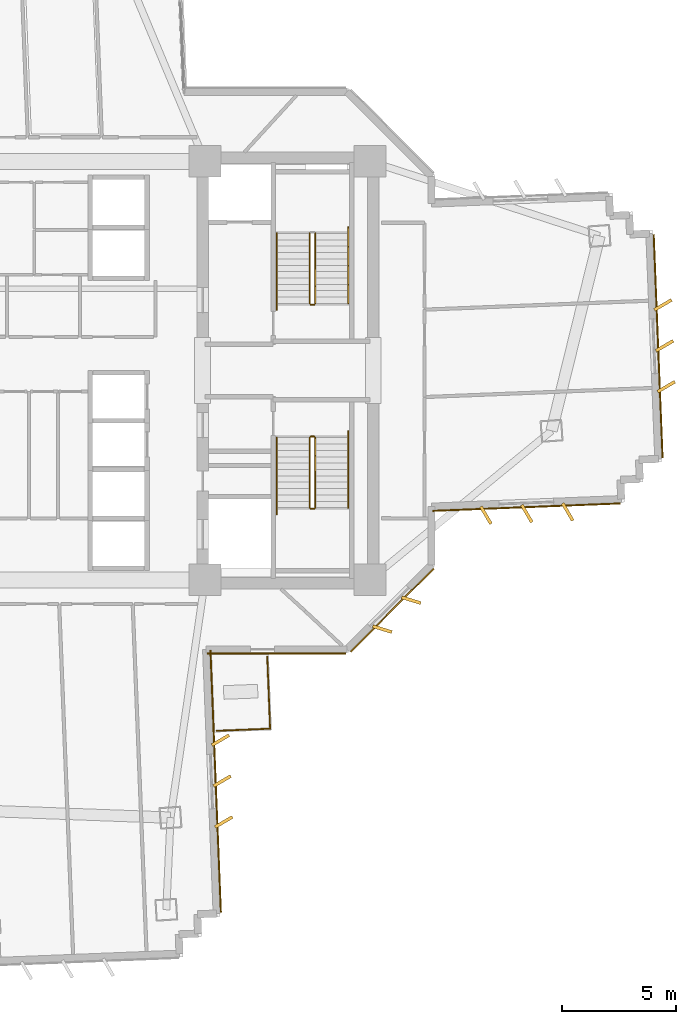
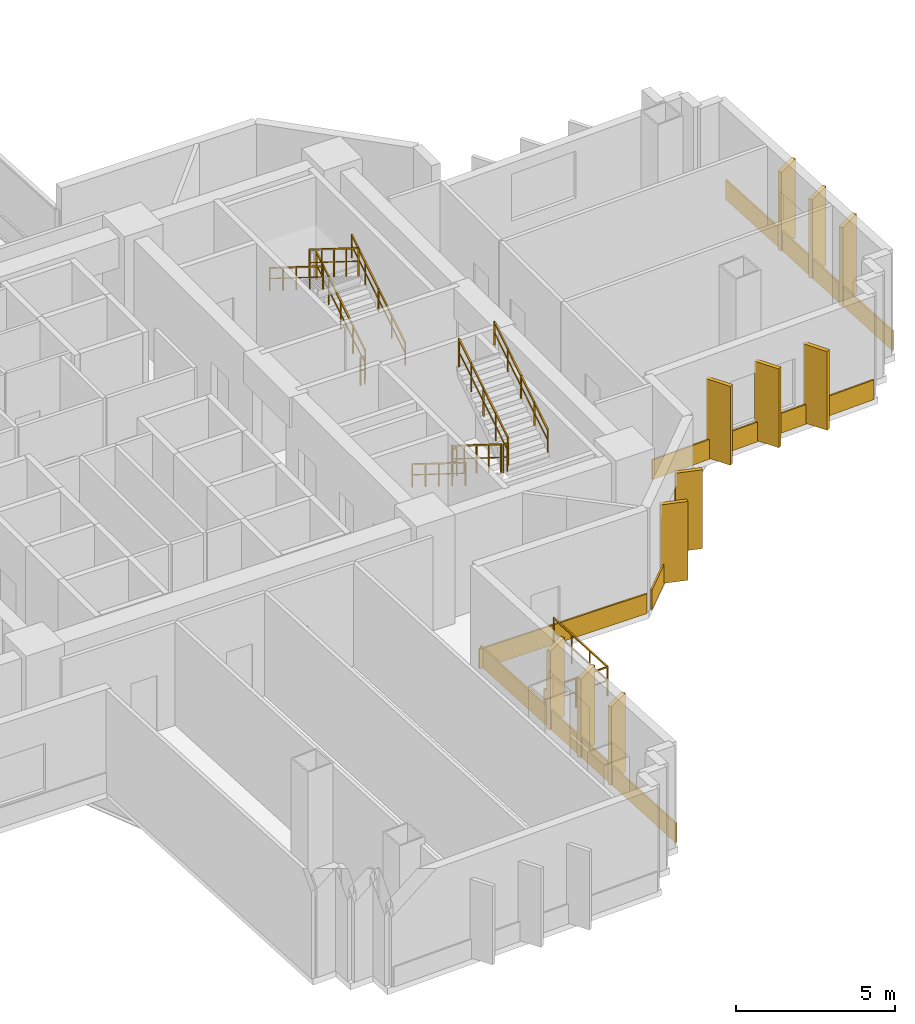
# One storey, part 14 of 16: 16 coverings, 13 railings.
"""IFC4 building model written with IfcOpenShell, lengths in metres."""

from ifc_helpers import new_model, si_unit, direction, frame, origin, origin_2d, place, context, subcontext, project, spatial, rectangle, extrude, source, transform, mapped, material, layer, layer_set, type_object, element, save


model = new_model("IFC4")

# Units and contexts
model_context = context("Model", 3, precision=1e-05, world=origin(), true_north=direction((0.0, 1.0)))
body_context = subcontext(model_context, "Body", "Model", "MODEL_VIEW")
ifc_project = project(units=[si_unit("LENGTHUNIT", "METRE"), si_unit("AREAUNIT", "SQUARE_METRE"), si_unit("VOLUMEUNIT", "CUBIC_METRE"), si_unit("PLANEANGLEUNIT", "RADIAN"), si_unit("MASSUNIT", "GRAM", prefix="KILO")], contexts=[model_context])

# Site, building, storey
site_placement = place(None, origin())
site = spatial("IfcSite", under=ifc_project, at=site_placement, CompositionType="ELEMENT")
building_placement = place(site_placement, origin())
building = spatial("IfcBuilding", under=site, at=building_placement, Name="Zahravan Cultural Tower", CompositionType="ELEMENT")
storey_placement = place(building_placement, frame((0.0, 0.0, 62.699951171875)))
storey = spatial("IfcBuildingStorey", under=building, at=storey_placement, Name="L13", CompositionType="ELEMENT", Elevation=62.699951171875)

# Railings
ifc_material_1 = material(Name="Steel ASTM A572 Grade 50", Category="steel")
railing_type_1 = type_object("IfcRailingType", Name="RL-BAL-1150", PredefinedType="BALUSTRADE", material=ifc_material_1)
railing_1_placement = place(storey_placement, frame((45.96435546875, 11.25390625, 0.0)))
element("IfcRailing", 1, at=railing_1_placement, inside=storey, type_object=railing_type_1, Name="L13 Edge Balustrade GRD-TR-L13-SE-01", PredefinedType="BALUSTRADE", context=body_context, shape_type="SweptSolid", body=[
    extrude(rectangle(XDim=0.05, YDim=0.05, at=origin_2d()), frame((0.0, 0.0, 1.125), z_axis=(-0.999208078967, -0.039789633421, 0.0), x_axis=(0.039789633421, -0.999208078967, 0.0)), (0.0, 0.0, 1.0), 2.35009765625),
    extrude(rectangle(XDim=0.032, YDim=0.032, at=origin_2d()), frame((0.0, 0.0, 0.597900390625), z_axis=(-0.999208078967, -0.039789633421, 0.0), x_axis=(0.039789633421, -0.999208078967, 0.0)), (0.0, 0.0, 1.0), 2.35009765625),
    extrude(rectangle(XDim=0.04, YDim=0.04, at=origin_2d()), origin(), (0.0, 0.0, 1.0), 1.14990234375),
    extrude(rectangle(XDim=0.04, YDim=0.04, at=origin_2d()), frame((-1.174072265625, -0.046875, 0.0)), (0.0, 0.0, 1.0), 1.14990234375),
    extrude(rectangle(XDim=0.04, YDim=0.04, at=origin_2d()), frame((-2.34814453125, -0.093505859375, 0.0)), (0.0, 0.0, 1.0), 1.14990234375),
])
railing_2_placement = place(storey_placement, frame((45.838134765625, 14.419921875, 0.0)))
element("IfcRailing", 2, at=railing_2_placement, inside=storey, type_object=railing_type_1, Name="L13 Edge Balustrade GRD-TR-L13-SE-02", PredefinedType="BALUSTRADE", context=body_context, shape_type="SweptSolid", body=[
    extrude(rectangle(XDim=0.05, YDim=0.05, at=origin_2d()), frame((0.0, 0.0, 1.125), z_axis=(0.039835720809, -0.999206242648, 0.0), x_axis=(0.999206242648, 0.039835720809, 0.0)), (0.0, 0.0, 1.0), 3.16845703125),
    extrude(rectangle(XDim=0.032, YDim=0.032, at=origin_2d()), frame((0.0, 0.0, 0.597900390625), z_axis=(0.039835720809, -0.999206242648, 0.0), x_axis=(0.999206242648, 0.039835720809, 0.0)), (0.0, 0.0, 1.0), 3.16845703125),
    extrude(rectangle(XDim=0.04, YDim=0.04, at=origin_2d()), origin(), (0.0, 0.0, 1.0), 1.14990234375),
    extrude(rectangle(XDim=0.04, YDim=0.04, at=origin_2d()), frame((0.0419921875, -1.055419921875, 0.0)), (0.0, 0.0, 1.0), 1.14990234375),
    extrude(rectangle(XDim=0.04, YDim=0.04, at=origin_2d()), frame((0.084228515625, -2.110595703125, 0.0)), (0.0, 0.0, 1.0), 1.14990234375),
    extrude(rectangle(XDim=0.04, YDim=0.04, at=origin_2d()), frame((0.126220703125, -3.166015625, 0.0)), (0.0, 0.0, 1.0), 1.14990234375),
])
railing_type_2 = type_object("IfcRailingType", Name="RL-STAIR-GRD1150", PredefinedType="BALUSTRADE", material=ifc_material_1)
railing_3_placement = place(storey_placement, frame((47.949951171875, 29.949951171875, 0.175048828125)))
element("IfcRailing", 3, at=railing_3_placement, inside=storey, type_object=railing_type_2, Name="L13 ST-E1 stair guard 1", PredefinedType="BALUSTRADE", context=body_context, shape_type="SweptSolid", body=[
    extrude(rectangle(XDim=0.05, YDim=0.05, at=origin_2d()), frame((0.0, 0.0, 1.0751953125), z_axis=(0.0, 0.847998304005, 0.529998940003), x_axis=(-1.0, 0.0, 0.0)), (0.0, 0.0, 1.0), 3.632080078125),
    extrude(rectangle(XDim=0.032, YDim=0.032, at=origin_2d()), frame((0.0, 0.0, 0.572021484375), z_axis=(0.0, 0.847998304005, 0.529998940003), x_axis=(-1.0, 0.0, 0.0)), (0.0, 0.0, 1.0), 3.632080078125),
    extrude(rectangle(XDim=0.04, YDim=0.04, at=origin_2d()), origin(), (0.0, 0.0, 1.0), 1.10009765625),
    extrude(rectangle(XDim=0.04, YDim=0.04, at=origin_2d()), frame((0.0, 0.77001953125, 0.481201171875)), (0.0, 0.0, 1.0), 1.10009765625),
    extrude(rectangle(XDim=0.04, YDim=0.04, at=origin_2d()), frame((0.0, 1.5400390625, 0.96240234375)), (0.0, 0.0, 1.0), 1.10009765625),
    extrude(rectangle(XDim=0.04, YDim=0.04, at=origin_2d()), frame((0.0, 2.31005859375, 1.44384765625)), (0.0, 0.0, 1.0), 1.10009765625),
    extrude(rectangle(XDim=0.04, YDim=0.04, at=origin_2d()), frame((0.0, 3.080078125, 1.925048828125)), (0.0, 0.0, 1.0), 1.10009765625),
])
railing_4_placement = place(storey_placement, frame((47.699951171875, 33.030029296875, 2.275146484375)))
element("IfcRailing", 4, at=railing_4_placement, inside=storey, type_object=railing_type_2, Name="L13 ST-E1 stair guard 3", PredefinedType="BALUSTRADE", context=body_context, shape_type="SweptSolid", body=[
    extrude(rectangle(XDim=0.05, YDim=0.05, at=origin_2d()), frame((0.0, 0.0, 1.0751953125), z_axis=(0.0, -0.848028513186, 0.529950602248), x_axis=(1.0, 0.0, 0.0)), (0.0, 0.0, 1.0), 3.632080078125),
    extrude(rectangle(XDim=0.032, YDim=0.032, at=origin_2d()), frame((0.0, 0.0, 0.572021484375), z_axis=(0.0, -0.848028513186, 0.529950602248), x_axis=(1.0, 0.0, 0.0)), (0.0, 0.0, 1.0), 3.632080078125),
    extrude(rectangle(XDim=0.04, YDim=0.04, at=origin_2d()), origin(), (0.0, 0.0, 1.0), 1.10009765625),
    extrude(rectangle(XDim=0.04, YDim=0.04, at=origin_2d()), frame((0.0, -0.77001953125, 0.481201171875)), (0.0, 0.0, 1.0), 1.10009765625),
    extrude(rectangle(XDim=0.04, YDim=0.04, at=origin_2d()), frame((0.0, -1.5400390625, 0.96240234375)), (0.0, 0.0, 1.0), 1.10009765625),
    extrude(rectangle(XDim=0.04, YDim=0.04, at=origin_2d()), frame((0.0, -2.31005859375, 1.443603515625)), (0.0, 0.0, 1.0), 1.10009765625),
    extrude(rectangle(XDim=0.04, YDim=0.04, at=origin_2d()), frame((0.0, -3.080078125, 1.9248046875)), (0.0, 0.0, 1.0), 1.10009765625),
])
railing_5_placement = place(storey_placement, frame((47.89990234375, 29.89990234375, 0.0)))
element("IfcRailing", 5, at=railing_5_placement, inside=storey, type_object=railing_type_2, Name="L13 ST-E1 stair guard 4", PredefinedType="BALUSTRADE", context=body_context, shape_type="SweptSolid", body=[
    extrude(rectangle(XDim=0.05, YDim=0.05, at=origin_2d()), frame((0.0, 0.0, 1.0751953125), z_axis=(-1.0, 0.0, 0.0), x_axis=(0.0, -1.0, 0.0)), (0.0, 0.0, 1.0), 0.14990234375),
    extrude(rectangle(XDim=0.032, YDim=0.032, at=origin_2d()), frame((0.0, 0.0, 0.572021484375), z_axis=(-1.0, 0.0, 0.0), x_axis=(0.0, -1.0, 0.0)), (0.0, 0.0, 1.0), 0.14990234375),
    extrude(rectangle(XDim=0.04, YDim=0.04, at=origin_2d()), origin(), (0.0, 0.0, 1.0), 1.10009765625),
    extrude(rectangle(XDim=0.04, YDim=0.04, at=origin_2d()), frame((-0.14990234375, 0.0, 0.0)), (0.0, 0.0, 1.0), 1.10009765625),
])
railing_6_placement = place(storey_placement, frame((47.699951171875, 24.050048828125, 0.175048828125)))
element("IfcRailing", 6, at=railing_6_placement, inside=storey, type_object=railing_type_2, Name="L13 ST-E2 stair guard 1", PredefinedType="BALUSTRADE", context=body_context, shape_type="SweptSolid", body=[
    extrude(rectangle(XDim=0.05, YDim=0.05, at=origin_2d()), frame((0.0, 0.0, 1.0751953125), z_axis=(0.0, -0.847998304005, 0.529998940003), x_axis=(1.0, 0.0, 0.0)), (0.0, 0.0, 1.0), 3.632080078125),
    extrude(rectangle(XDim=0.032, YDim=0.032, at=origin_2d()), frame((0.0, 0.0, 0.572021484375), z_axis=(0.0, -0.847998304005, 0.529998940003), x_axis=(1.0, 0.0, 0.0)), (0.0, 0.0, 1.0), 3.632080078125),
    extrude(rectangle(XDim=0.04, YDim=0.04, at=origin_2d()), origin(), (0.0, 0.0, 1.0), 1.10009765625),
    extrude(rectangle(XDim=0.04, YDim=0.04, at=origin_2d()), frame((0.0, -0.77001953125, 0.481201171875)), (0.0, 0.0, 1.0), 1.10009765625),
    extrude(rectangle(XDim=0.04, YDim=0.04, at=origin_2d()), frame((0.0, -1.5400390625, 0.96240234375)), (0.0, 0.0, 1.0), 1.10009765625),
    extrude(rectangle(XDim=0.04, YDim=0.04, at=origin_2d()), frame((0.0, -2.31005859375, 1.44384765625)), (0.0, 0.0, 1.0), 1.10009765625),
    extrude(rectangle(XDim=0.04, YDim=0.04, at=origin_2d()), frame((0.0, -3.080078125, 1.925048828125)), (0.0, 0.0, 1.0), 1.10009765625),
])
railing_7_placement = place(storey_placement, frame((47.75, 20.919921875, 2.10009765625)))
element("IfcRailing", 7, at=railing_7_placement, inside=storey, type_object=railing_type_2, Name="L13 ST-E2 stair guard 2", PredefinedType="BALUSTRADE", context=body_context, shape_type="SweptSolid", body=[
    extrude(rectangle(XDim=0.05, YDim=0.05, at=origin_2d()), frame((0.0, 0.0, 1.0751953125), z_axis=(1.0, 0.0, 0.0), x_axis=(0.0, 1.0, 0.0)), (0.0, 0.0, 1.0), 0.14990234375),
    extrude(rectangle(XDim=0.032, YDim=0.032, at=origin_2d()), frame((0.0, 0.0, 0.572021484375), z_axis=(1.0, 0.0, 0.0), x_axis=(0.0, 1.0, 0.0)), (0.0, 0.0, 1.0), 0.14990234375),
    extrude(rectangle(XDim=0.04, YDim=0.04, at=origin_2d()), origin(), (0.0, 0.0, 1.0), 1.10009765625),
    extrude(rectangle(XDim=0.04, YDim=0.04, at=origin_2d()), frame((0.14990234375, 0.0, 0.0)), (0.0, 0.0, 1.0), 1.10009765625),
])
railing_8_placement = place(storey_placement, frame((47.949951171875, 20.969970703125, 2.275146484375)))
element("IfcRailing", 8, at=railing_8_placement, inside=storey, type_object=railing_type_2, Name="L13 ST-E2 stair guard 3", PredefinedType="BALUSTRADE", context=body_context, shape_type="SweptSolid", body=[
    extrude(rectangle(XDim=0.05, YDim=0.05, at=origin_2d()), frame((0.0, 0.0, 1.0751953125), z_axis=(0.0, 0.848028513186, 0.529950602248), x_axis=(-1.0, 0.0, 0.0)), (0.0, 0.0, 1.0), 3.632080078125),
    extrude(rectangle(XDim=0.032, YDim=0.032, at=origin_2d()), frame((0.0, 0.0, 0.572021484375), z_axis=(0.0, 0.848028513186, 0.529950602248), x_axis=(-1.0, 0.0, 0.0)), (0.0, 0.0, 1.0), 3.632080078125),
    extrude(rectangle(XDim=0.04, YDim=0.04, at=origin_2d()), origin(), (0.0, 0.0, 1.0), 1.10009765625),
    extrude(rectangle(XDim=0.04, YDim=0.04, at=origin_2d()), frame((0.0, 0.77001953125, 0.481201171875)), (0.0, 0.0, 1.0), 1.10009765625),
    extrude(rectangle(XDim=0.04, YDim=0.04, at=origin_2d()), frame((0.0, 1.5400390625, 0.96240234375)), (0.0, 0.0, 1.0), 1.10009765625),
    extrude(rectangle(XDim=0.04, YDim=0.04, at=origin_2d()), frame((0.0, 2.31005859375, 1.443603515625)), (0.0, 0.0, 1.0), 1.10009765625),
    extrude(rectangle(XDim=0.04, YDim=0.04, at=origin_2d()), frame((0.0, 3.080078125, 1.9248046875)), (0.0, 0.0, 1.0), 1.10009765625),
])
railing_9_placement = place(storey_placement, frame((47.75, 24.10009765625, 0.0)))
element("IfcRailing", 9, at=railing_9_placement, inside=storey, type_object=railing_type_2, Name="L13 ST-E2 stair guard 4", PredefinedType="BALUSTRADE", context=body_context, shape_type="SweptSolid", body=[
    extrude(rectangle(XDim=0.05, YDim=0.05, at=origin_2d()), frame((0.0, 0.0, 1.0751953125), z_axis=(1.0, 0.0, 0.0), x_axis=(0.0, 1.0, 0.0)), (0.0, 0.0, 1.0), 0.14990234375),
    extrude(rectangle(XDim=0.032, YDim=0.032, at=origin_2d()), frame((0.0, 0.0, 0.572021484375), z_axis=(1.0, 0.0, 0.0), x_axis=(0.0, 1.0, 0.0)), (0.0, 0.0, 1.0), 0.14990234375),
    extrude(rectangle(XDim=0.04, YDim=0.04, at=origin_2d()), origin(), (0.0, 0.0, 1.0), 1.10009765625),
    extrude(rectangle(XDim=0.04, YDim=0.04, at=origin_2d()), frame((0.14990234375, 0.0, 0.0)), (0.0, 0.0, 1.0), 1.10009765625),
])
railing_type_3 = type_object("IfcRailingType", Name="RL-STAIR-HR900", PredefinedType="HANDRAIL", material=ifc_material_1)
railing_10_placement = place(storey_placement, frame((49.39990234375, 29.949951171875, 0.175048828125)))
element("IfcRailing", 10, at=railing_10_placement, inside=storey, type_object=railing_type_3, Name="L13 ST-E1 stair handrail 1", PredefinedType="HANDRAIL", context=body_context, shape_type="SweptSolid", body=[
    extrude(rectangle(XDim=0.05, YDim=0.05, at=origin_2d()), frame((0.0, 0.0, 0.875), z_axis=(0.0, 0.847994842521, 0.530004478338), x_axis=(-1.0, 0.0, 0.0)), (0.0, 0.0, 1.0), 3.96240234375),
    extrude(rectangle(XDim=0.032, YDim=0.032, at=origin_2d()), frame((0.0, 0.0, 0.468017578125), z_axis=(0.0, 0.847994842521, 0.530004478338), x_axis=(-1.0, 0.0, 0.0)), (0.0, 0.0, 1.0), 3.96240234375),
    extrude(rectangle(XDim=0.04, YDim=0.04, at=origin_2d()), origin(), (0.0, 0.0, 1.0), 0.89990234375),
    extrude(rectangle(XDim=0.04, YDim=0.04, at=origin_2d()), frame((0.0, 0.840087890625, 0.52490234375)), (0.0, 0.0, 1.0), 0.89990234375),
    extrude(rectangle(XDim=0.04, YDim=0.04, at=origin_2d()), frame((0.0, 1.68017578125, 1.050048828125)), (0.0, 0.0, 1.0), 0.89990234375),
    extrude(rectangle(XDim=0.04, YDim=0.04, at=origin_2d()), frame((0.0, 2.52001953125, 1.5751953125)), (0.0, 0.0, 1.0), 0.89990234375),
    extrude(rectangle(XDim=0.04, YDim=0.04, at=origin_2d()), frame((0.0, 3.360107421875, 2.10009765625)), (0.0, 0.0, 1.0), 0.89990234375),
])
railing_11_placement = place(storey_placement, frame((46.25, 33.030029296875, 2.275146484375)))
element("IfcRailing", 11, at=railing_11_placement, inside=storey, type_object=railing_type_3, Name="L13 ST-E1 stair handrail 2", PredefinedType="HANDRAIL", context=body_context, shape_type="SweptSolid", body=[
    extrude(rectangle(XDim=0.05, YDim=0.05, at=origin_2d()), frame((0.0, 0.0, 0.875), z_axis=(0.0, -0.848022534174, 0.529960169762), x_axis=(1.0, 0.0, 0.0)), (0.0, 0.0, 1.0), 3.96240234375),
    extrude(rectangle(XDim=0.032, YDim=0.032, at=origin_2d()), frame((0.0, 0.0, 0.468017578125), z_axis=(0.0, -0.848022534174, 0.529960169762), x_axis=(1.0, 0.0, 0.0)), (0.0, 0.0, 1.0), 3.96240234375),
    extrude(rectangle(XDim=0.04, YDim=0.04, at=origin_2d()), origin(), (0.0, 0.0, 1.0), 0.89990234375),
    extrude(rectangle(XDim=0.04, YDim=0.04, at=origin_2d()), frame((0.0, -0.840087890625, 0.52490234375)), (0.0, 0.0, 1.0), 0.89990234375),
    extrude(rectangle(XDim=0.04, YDim=0.04, at=origin_2d()), frame((0.0, -1.68017578125, 1.0498046875)), (0.0, 0.0, 1.0), 0.89990234375),
    extrude(rectangle(XDim=0.04, YDim=0.04, at=origin_2d()), frame((0.0, -2.52001953125, 1.574951171875)), (0.0, 0.0, 1.0), 0.89990234375),
    extrude(rectangle(XDim=0.04, YDim=0.04, at=origin_2d()), frame((0.0, -3.360107421875, 2.099853515625)), (0.0, 0.0, 1.0), 0.89990234375),
])
railing_12_placement = place(storey_placement, frame((46.25, 24.050048828125, 0.175048828125)))
element("IfcRailing", 12, at=railing_12_placement, inside=storey, type_object=railing_type_3, Name="L13 ST-E2 stair handrail 1", PredefinedType="HANDRAIL", context=body_context, shape_type="SweptSolid", body=[
    extrude(rectangle(XDim=0.05, YDim=0.05, at=origin_2d()), frame((0.0, 0.0, 0.875), z_axis=(0.0, -0.847994842521, 0.530004478338), x_axis=(1.0, 0.0, 0.0)), (0.0, 0.0, 1.0), 3.96240234375),
    extrude(rectangle(XDim=0.032, YDim=0.032, at=origin_2d()), frame((0.0, 0.0, 0.468017578125), z_axis=(0.0, -0.847994842521, 0.530004478338), x_axis=(1.0, 0.0, 0.0)), (0.0, 0.0, 1.0), 3.96240234375),
    extrude(rectangle(XDim=0.04, YDim=0.04, at=origin_2d()), origin(), (0.0, 0.0, 1.0), 0.89990234375),
    extrude(rectangle(XDim=0.04, YDim=0.04, at=origin_2d()), frame((0.0, -0.840087890625, 0.52490234375)), (0.0, 0.0, 1.0), 0.89990234375),
    extrude(rectangle(XDim=0.04, YDim=0.04, at=origin_2d()), frame((0.0, -1.68017578125, 1.050048828125)), (0.0, 0.0, 1.0), 0.89990234375),
    extrude(rectangle(XDim=0.04, YDim=0.04, at=origin_2d()), frame((0.0, -2.52001953125, 1.5751953125)), (0.0, 0.0, 1.0), 0.89990234375),
    extrude(rectangle(XDim=0.04, YDim=0.04, at=origin_2d()), frame((0.0, -3.360107421875, 2.10009765625)), (0.0, 0.0, 1.0), 0.89990234375),
])
railing_13_placement = place(storey_placement, frame((49.39990234375, 20.969970703125, 2.275146484375)))
element("IfcRailing", 13, at=railing_13_placement, inside=storey, type_object=railing_type_3, Name="L13 ST-E2 stair handrail 2", PredefinedType="HANDRAIL", context=body_context, shape_type="SweptSolid", body=[
    extrude(rectangle(XDim=0.05, YDim=0.05, at=origin_2d()), frame((0.0, 0.0, 0.875), z_axis=(0.0, 0.848022534174, 0.529960169762), x_axis=(-1.0, 0.0, 0.0)), (0.0, 0.0, 1.0), 3.96240234375),
    extrude(rectangle(XDim=0.032, YDim=0.032, at=origin_2d()), frame((0.0, 0.0, 0.468017578125), z_axis=(0.0, 0.848022534174, 0.529960169762), x_axis=(-1.0, 0.0, 0.0)), (0.0, 0.0, 1.0), 3.96240234375),
    extrude(rectangle(XDim=0.04, YDim=0.04, at=origin_2d()), origin(), (0.0, 0.0, 1.0), 0.89990234375),
    extrude(rectangle(XDim=0.04, YDim=0.04, at=origin_2d()), frame((0.0, 0.840087890625, 0.52490234375)), (0.0, 0.0, 1.0), 0.89990234375),
    extrude(rectangle(XDim=0.04, YDim=0.04, at=origin_2d()), frame((0.0, 1.68017578125, 1.0498046875)), (0.0, 0.0, 1.0), 0.89990234375),
    extrude(rectangle(XDim=0.04, YDim=0.04, at=origin_2d()), frame((0.0, 2.52001953125, 1.574951171875)), (0.0, 0.0, 1.0), 0.89990234375),
    extrude(rectangle(XDim=0.04, YDim=0.04, at=origin_2d()), frame((0.0, 3.360107421875, 2.099853515625)), (0.0, 0.0, 1.0), 0.89990234375),
])

# Coverings
ifc_material_2 = material(Name="Terracotta ceramic cladding", Category="masonry")
ifc_layer = layer(ifc_material_2, 0.06005859375)
ifc_layer_set = layer_set([ifc_layer], Name="Terracotta ceramic cladding")
covering_type = type_object("IfcCoveringType", Name="COV-CLAD-TC60", PredefinedType="CLADDING", material=ifc_layer_set)
shared_shape_1 = source(origin(), body_context, "Body", "SweptSolid", [
    extrude(rectangle(XDim=9.820068359375, YDim=0.06005859375, at=origin_2d()), origin(), (0.0, 0.0, 1.0), 0.760009765625),
])
covering_1_placement = place(storey_placement, frame((63.023681640625, 28.075927734375, 0.02001953125), z_axis=(0.0, 0.0, 1.0), x_axis=(0.039783005453, -0.999208342878, 0.0)))
element("IfcCovering", 14, at=covering_1_placement, inside=storey, type_object=covering_type, Name="L13 Terracotta Spandrel Cladding 06", PredefinedType="CLADDING", context=body_context, shape_type="MappedRepresentation", body=[
    mapped(shared_shape_1, transform((0.0, 0.0, 0.0), x_axis=(1.0, 0.0, 0.0), y_axis=(0.0, 1.0, 0.0), z_axis=(0.0, 0.0, 1.0), scale=1.0)),
])
shared_shape_2 = source(origin(), body_context, "Body", "SweptSolid", [
    extrude(rectangle(XDim=5.157958984375, YDim=0.06005859375, at=origin_2d()), origin(), (0.0, 0.0, 1.0), 0.760009765625),
])
covering_2_placement = place(storey_placement, frame((51.331787109375, 16.46826171875, 0.02001953125), z_axis=(0.0, 0.0, 1.0), x_axis=(-0.707106781187, -0.707106781187, 0.0)))
element("IfcCovering", 15, at=covering_2_placement, inside=storey, type_object=covering_type, Name="L13 Terracotta Spandrel Cladding 13", PredefinedType="CLADDING", context=body_context, shape_type="MappedRepresentation", body=[
    mapped(shared_shape_2, transform((0.0, 0.0, 0.0), x_axis=(1.0, 0.0, 0.0), y_axis=(0.0, 1.0, 0.0), z_axis=(0.0, 0.0, 1.0), scale=1.0)),
])
shared_shape_3 = source(origin(), body_context, "Body", "SweptSolid", [
    extrude(rectangle(XDim=0.8798828125, YDim=0.139892578125, at=origin_2d()), origin(), (0.0, 0.0, 1.0), 3.030029296875),
])
for number, where, z_axis, x_axis, name in (
    (16, (63.23681640625, 29.8857421875, 0.0498046875), (0.0, 0.0, 1.0), (0.863571611366, 0.504226211181, 0.0), "L13 Herringbone Terracotta Fin 04"),
    (17, (63.308349609375, 28.087158203125, 0.0498046875), (0.0, 0.0, 1.0), (0.863571611366, 0.504226211181, 0.0), "L13 Herringbone Terracotta Fin 05"),
    (18, (63.3798828125, 26.288818359375, 0.0498046875), (0.0, 0.0, 1.0), (0.863571611366, 0.504226211181, 0.0), "L13 Herringbone Terracotta Fin 06"),
    (19, (59.0498046875, 20.781982421875, 0.0498046875), (0.0, 0.0, 1.0), (0.504226211181, -0.863571611366, 0.0), "L13 Herringbone Terracotta Fin 07"),
    (20, (57.251220703125, 20.71044921875, 0.0498046875), (0.0, 0.0, 1.0), (0.504226211181, -0.863571611366, 0.0), "L13 Herringbone Terracotta Fin 08"),
    (21, (55.45263671875, 20.638916015625, 0.0498046875), (0.0, 0.0, 1.0), (0.504226211181, -0.863571611366, 0.0), "L13 Herringbone Terracotta Fin 09"),
    (22, (52.169677734375, 16.903076171875, 0.0498046875), (0.0, 0.0, 1.0), (0.956304755963, -0.292371704723, 0.0), "L13 Herringbone Terracotta Fin 10"),
    (23, (50.89697265625, 15.63037109375, 0.0498046875), (0.0, 0.0, 1.0), (0.956304755963, -0.292371704723, 0.0), "L13 Herringbone Terracotta Fin 11"),
    (24, (43.78271484375, 10.749267578125, 0.0498046875), (0.0, 0.0, 1.0), (0.863571611366, 0.504226211181, 0.0), "L13 Herringbone Terracotta Fin 12"),
    (25, (43.854248046875, 8.95068359375, 0.0498046875), (0.0, 0.0, 1.0), (0.863571611366, 0.504226211181, 0.0), "L13 Herringbone Terracotta Fin 13"),
    (26, (43.92578125, 7.152099609375, 0.0498046875), (0.0, 0.0, 1.0), (0.863571611366, 0.504226211181, 0.0), "L13 Herringbone Terracotta Fin 14"),
):
    element("IfcCovering", number, at=place(storey_placement, frame(where, z_axis=z_axis, x_axis=x_axis)), inside=storey, type_object=covering_type, Name=name, PredefinedType="CLADDING", context=body_context, shape_type="MappedRepresentation", body=[
        mapped(shared_shape_3, transform((0.0, 0.0, 0.0), x_axis=(1.0, 0.0, 0.0), y_axis=(0.0, 1.0, 0.0), z_axis=(0.0, 0.0, 1.0), scale=1.0)),
    ])
shared_shape_4 = source(origin(), body_context, "Body", "SweptSolid", [
    extrude(rectangle(XDim=8.251708984375, YDim=0.06005859375, at=origin_2d()), origin(), (0.0, 0.0, 1.0), 0.760009765625),
])
covering_3_placement = place(storey_placement, frame((57.239990234375, 20.9951171875, 0.02001953125), z_axis=(0.0, 0.0, 1.0), x_axis=(-0.999208342878, -0.039783005453, 0.0)))
element("IfcCovering", 27, at=covering_3_placement, inside=storey, type_object=covering_type, Name="L13 Terracotta Spandrel Cladding 11", PredefinedType="CLADDING", context=body_context, shape_type="MappedRepresentation", body=[
    mapped(shared_shape_4, transform((0.0, 0.0, 0.0), x_axis=(1.0, 0.0, 0.0), y_axis=(0.0, 1.0, 0.0), z_axis=(0.0, 0.0, 1.0), scale=1.0)),
])
shared_shape_5 = source(origin(), body_context, "Body", "SweptSolid", [
    extrude(rectangle(XDim=6.088623046875, YDim=0.06005859375, at=origin_2d()), origin(), (0.0, 0.0, 1.0), 0.760009765625),
])
covering_4_placement = place(storey_placement, frame((46.247802734375, 14.554931640625, 0.02001953125), z_axis=(0.0, 0.0, 1.0), x_axis=(-1.0, 0.0, 0.0)))
element("IfcCovering", 28, at=covering_4_placement, inside=storey, type_object=covering_type, Name="L13 Terracotta Spandrel Cladding 14", PredefinedType="CLADDING", context=body_context, shape_type="MappedRepresentation", body=[
    mapped(shared_shape_5, transform((0.0, 0.0, 0.0), x_axis=(1.0, 0.0, 0.0), y_axis=(0.0, 1.0, 0.0), z_axis=(0.0, 0.0, 1.0), scale=1.0)),
])
shared_shape_6 = source(origin(), body_context, "Body", "SweptSolid", [
    extrude(rectangle(XDim=11.525146484375, YDim=0.06005859375, at=origin_2d()), origin(), (0.0, 0.0, 1.0), 0.760009765625),
])
covering_5_placement = place(storey_placement, frame((43.5693359375, 8.939453125, 0.02001953125), z_axis=(0.0, 0.0, 1.0), x_axis=(0.039783005453, -0.999208342878, 0.0)))
element("IfcCovering", 29, at=covering_5_placement, inside=storey, type_object=covering_type, Name="L13 Terracotta Spandrel Cladding 15", PredefinedType="CLADDING", context=body_context, shape_type="MappedRepresentation", body=[
    mapped(shared_shape_6, transform((0.0, 0.0, 0.0), x_axis=(1.0, 0.0, 0.0), y_axis=(0.0, 1.0, 0.0), z_axis=(0.0, 0.0, 1.0), scale=1.0)),
])

save(model, "model.ifc")
